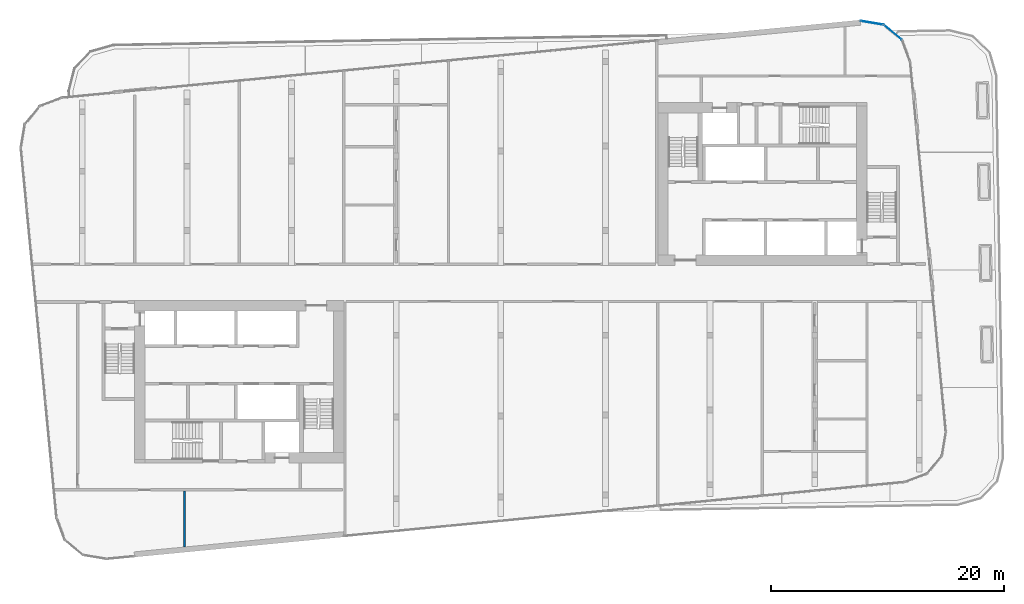
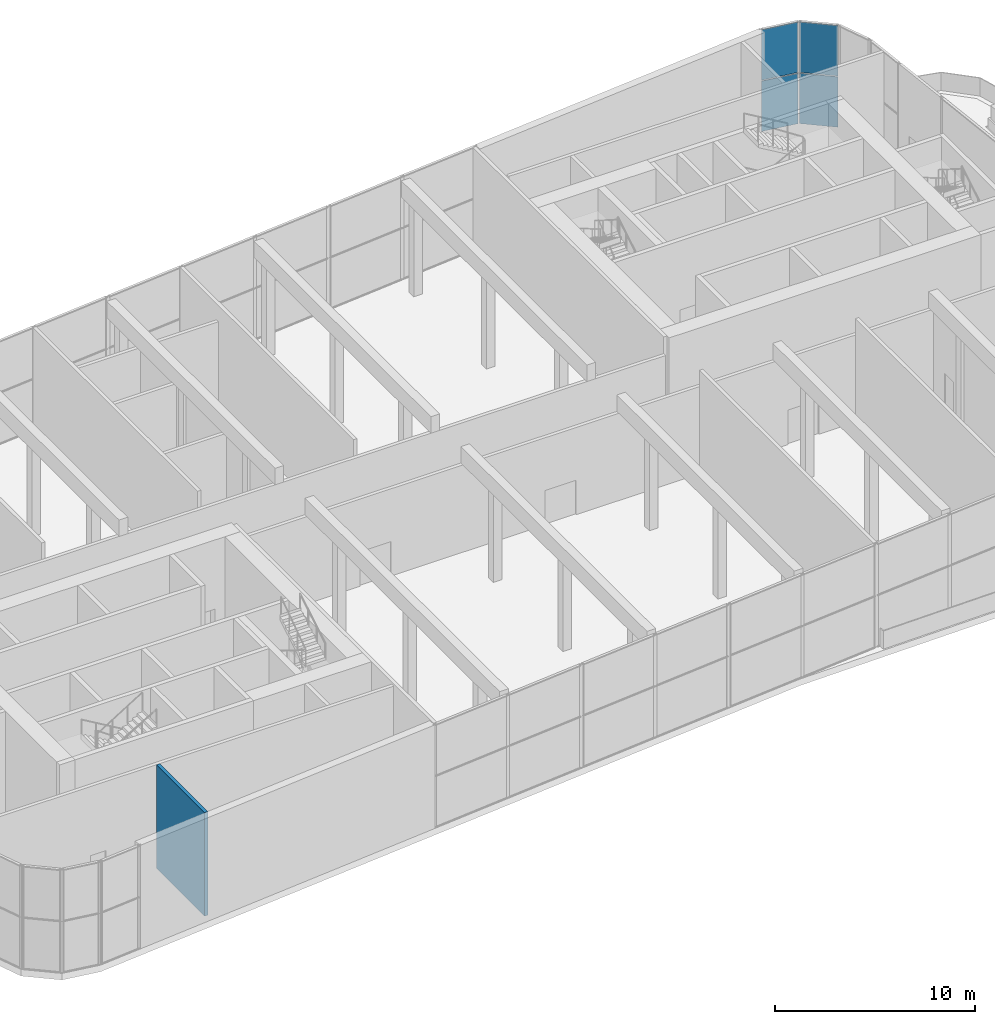
# One storey, part 11 of 24: 4 plates, 1 wall, 2 elements without a shape of their own.
"""IFC4 building model written with IfcOpenShell, lengths in metres."""

from ifc_helpers import new_model, si_unit, direction, frame, frame_2d, origin, origin_2d, place, context, subcontext, project, spatial, rectangle, extrude, material, layer, layer_set, type_object, element, aggregate, save


model = new_model("IFC4")

# Units and contexts
model_context = context("Model", 3, precision=1e-05, world=origin(), true_north=direction((0.0, 1.0)))
body_context = subcontext(model_context, "Body", "Model", "MODEL_VIEW")
ifc_project = project(units=[si_unit("LENGTHUNIT", "METRE"), si_unit("AREAUNIT", "SQUARE_METRE"), si_unit("VOLUMEUNIT", "CUBIC_METRE"), si_unit("PLANEANGLEUNIT", "RADIAN"), si_unit("MASSUNIT", "GRAM", prefix="KILO")], contexts=[model_context])

# Site, building, storey
site_placement = place(None, origin())
site = spatial("IfcSite", under=ifc_project, at=site_placement, CompositionType="ELEMENT")
building_placement = place(site_placement, origin())
building = spatial("IfcBuilding", under=site, at=building_placement, Name="Kajstack Hotel Tower", CompositionType="ELEMENT")
storey_placement = place(building_placement, frame((0.0, 0.0, 261.89990234375)))
storey = spatial("IfcBuildingStorey", under=building, at=storey_placement, Name="L65", CompositionType="ELEMENT", Elevation=261.89990234375)

# Curtain wall, plates
ifc_material_1 = material(Name="Aluminium-framed curtain wall, low-iron insulated glass", Category="aluminium")
curtain_wall_type = type_object("IfcCurtainWallType", Name="CW-GARDEN", PredefinedType="NOTDEFINED", material=ifc_material_1)
curtain_wall_1_placement = place(storey_placement, origin())
curtain_wall_1 = element("IfcCurtainWall", 1, at=curtain_wall_1_placement, inside=storey, type_object=curtain_wall_type, Name="Curtain wall CU6 L65-10-00-0", PredefinedType="NOTDEFINED")
ifc_material_2 = material(Name="Low-iron insulated glass", Category="glass")
ifc_layer_1 = layer(ifc_material_2, 0.0400390625)
ifc_layer_set_1 = layer_set([ifc_layer_1], Name="CW-P-GARDEN")
plate_type = type_object("IfcPlateType", Name="CW-P-GARDEN", PredefinedType="CURTAIN_PANEL", material=ifc_layer_set_1)
plate_1_placement = place(storey_placement, frame((33.717529296875, 21.556396484375, 0.06005859375), z_axis=(0.0, 0.0, 1.0), x_axis=(-0.771610892698, 0.636094828048, 0.0)))
plate_1 = element("IfcPlate", 2, at=plate_1_placement, type_object=plate_type, Name="CU6 panel 1.1", PredefinedType="CURTAIN_PANEL", context=body_context, shape_type="SweptSolid", body=[
    extrude(rectangle(XDim=1.95068359375, YDim=0.0400390625, at=origin_2d()), origin(), (0.0, 0.0, 1.0), 3.070068359375),
])
plate_2_placement = place(storey_placement, frame((33.717529296875, 21.556396484375, 3.18994140625), z_axis=(0.0, 0.0, 1.0), x_axis=(-0.771610892698, 0.636094828048, 0.0)))
plate_2 = element("IfcPlate", 3, at=plate_2_placement, type_object=plate_type, Name="CU6 panel 1.2", PredefinedType="CURTAIN_PANEL", context=body_context, shape_type="SweptSolid", body=[
    extrude(rectangle(XDim=1.95068359375, YDim=0.0400390625, at=origin_2d()), origin(), (0.0, 0.0, 1.0), 3.070068359375),
])
aggregate(curtain_wall_1, [plate_1, plate_2])

curtain_wall_2_placement = place(storey_placement, origin())
curtain_wall_2 = element("IfcCurtainWall", 4, at=curtain_wall_2_placement, inside=storey, type_object=curtain_wall_type, Name="Curtain wall CU6 L65-11-00-0", PredefinedType="NOTDEFINED")
plate_3_placement = place(storey_placement, frame((31.932861328125, 22.369873046875, 0.06005859375), z_axis=(0.0, 0.0, 1.0), x_axis=(-0.986287986954, 0.16503335054, 0.0)))
plate_3 = element("IfcPlate", 5, at=plate_3_placement, type_object=plate_type, Name="CU6 panel 1.1", PredefinedType="CURTAIN_PANEL", context=body_context, shape_type="SweptSolid", body=[
    extrude(rectangle(XDim=1.950439453125, YDim=0.0400390625, at=origin_2d()), origin(), (0.0, 0.0, 1.0), 3.070068359375),
])
plate_4_placement = place(storey_placement, frame((31.932861328125, 22.369873046875, 3.18994140625), z_axis=(0.0, 0.0, 1.0), x_axis=(-0.986287986954, 0.16503335054, 0.0)))
plate_4 = element("IfcPlate", 6, at=plate_4_placement, type_object=plate_type, Name="CU6 panel 1.2", PredefinedType="CURTAIN_PANEL", context=body_context, shape_type="SweptSolid", body=[
    extrude(rectangle(XDim=1.950439453125, YDim=0.0400390625, at=origin_2d()), origin(), (0.0, 0.0, 1.0), 3.070068359375),
])
aggregate(curtain_wall_2, [plate_3, plate_4])

# Wall
ifc_material_3 = material(Name="Gypsum board on steel studs, mineral wool", Category="steel")
ifc_layer_2 = layer(ifc_material_3, 0.199951171875)
ifc_layer_set_2 = layer_set([ifc_layer_2], Name="Service partition 200")
wall_type = type_object("IfcWallType", Name="Service partition 200", PredefinedType="PARTITIONING", material=ifc_layer_set_2)
wall_placement = place(storey_placement, frame((-27.199951171875, -22.716064453125, 0.0), z_axis=(0.0, 0.0, 1.0), x_axis=(0.0, 1.0, 0.0)))
element("IfcWall", 7, at=wall_placement, inside=storey, type_object=wall_type, Name="Partition W SLP0", PredefinedType="PARTITIONING", context=body_context, shape_type="SweptSolid", body=[
    extrude(rectangle(XDim=4.816162109375, YDim=0.199951171875, at=frame_2d((2.408203125, 0.0))), origin(), (0.0, 0.0, 1.0), 6.320068359375),
])

save(model, "model.ifc")
